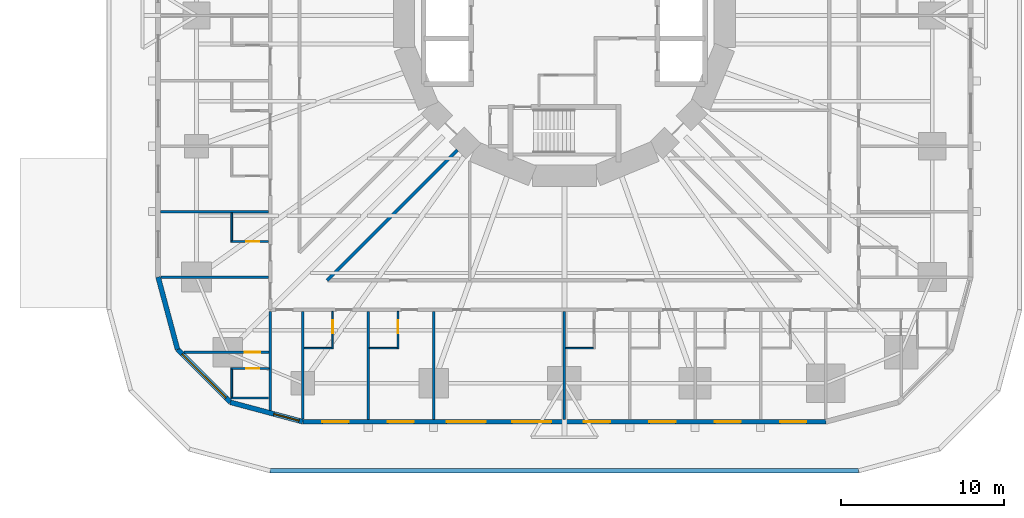
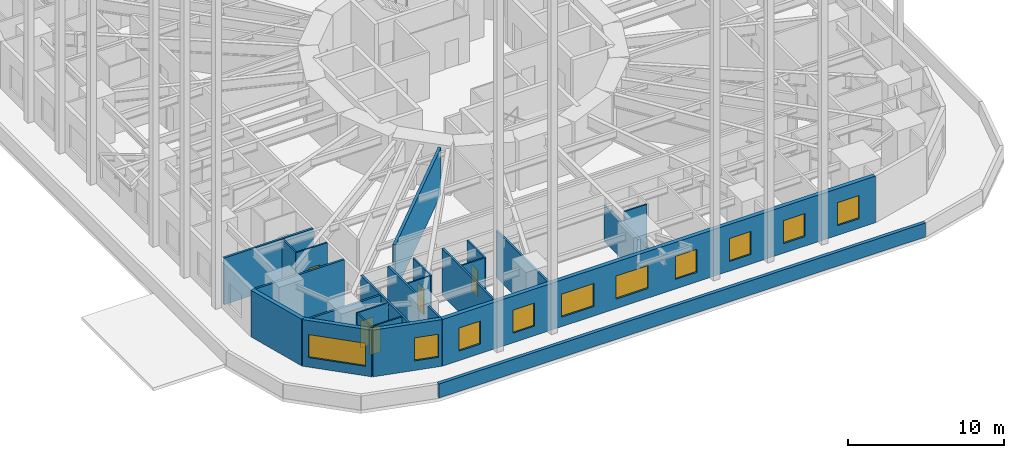
# One storey, part 4 of 13: 24 walls, 10 windows, 5 doors, 15 openings.
"""IFC4 building model written with IfcOpenShell, lengths in metres."""

from ifc_helpers import new_model, si_unit, direction, frame, frame_2d, origin, place, context, subcontext, project, spatial, rectangle, extrude, material, layer, layer_set, type_object, element, fill, save


model = new_model("IFC4")

# Units and contexts
model_context = context("Model", 3, precision=1e-05, world=origin(), true_north=direction((0.0, 1.0)))
body_context = subcontext(model_context, "Body", "Model", "MODEL_VIEW")
ifc_project = project(units=[si_unit("LENGTHUNIT", "METRE"), si_unit("AREAUNIT", "SQUARE_METRE"), si_unit("VOLUMEUNIT", "CUBIC_METRE"), si_unit("PLANEANGLEUNIT", "RADIAN"), si_unit("MASSUNIT", "GRAM", prefix="KILO")], contexts=[model_context])

# Site, building, storey
site_placement = place(None, origin())
site = spatial("IfcSite", under=ifc_project, at=site_placement, CompositionType="ELEMENT")
building_placement = place(site_placement, origin())
building = spatial("IfcBuilding", under=site, at=building_placement, Name="Nakasero Lantern House", CompositionType="ELEMENT")
storey_placement = place(building_placement, frame((0.0, 0.0, 16.0)))
storey = spatial("IfcBuildingStorey", under=building, at=storey_placement, Name="L03", CompositionType="ELEMENT", Elevation=16.0)

# Wall
ifc_material_1 = material(Name="Blockwork", Category="masonry")
ifc_layer_1 = layer(ifc_material_1, 0.199951171875)
ifc_layer_set_1 = layer_set([ifc_layer_1], Name="Corridor wall 200")
wall_type_1 = type_object("IfcWallType", Name="Corridor wall 200", PredefinedType="PARTITIONING", material=ifc_layer_set_1)
wall_1_placement = place(storey_placement, frame((-6.54638671875, -8.243408203125, 0.0), z_axis=(0.0, 0.0, 1.0), x_axis=(-0.707106781187, -0.707106781187, 0.0)))
element("IfcWall", 1, at=wall_1_placement, inside=storey, type_object=wall_type_1, Name="Corridor wall L03 PS10a", PredefinedType="PARTITIONING", context=body_context, shape_type="SweptSolid", body=[
    extrude(rectangle(XDim=11.252197265625, YDim=0.199951171875, at=frame_2d((5.6259765625, 0.0))), origin(), (0.0, 0.0, 1.0), 3.64990234375),
])

# Wall, opening, door
ifc_material_2 = material(Name="Blockwork", Category="masonry")
ifc_layer_2 = layer(ifc_material_2, 0.10009765625)
ifc_layer_set_2 = layer_set([ifc_layer_2], Name="En-suite wall 100")
wall_type_2 = type_object("IfcWallType", Name="En-suite wall 100", PredefinedType="PARTITIONING", material=ifc_layer_set_2)
wall_2_placement = place(storey_placement, frame((-18.10009765625, -13.824951171875, 0.0), z_axis=(0.0, 0.0, 1.0), x_axis=(-1.0, 0.0, 0.0)))
wall_2 = element("IfcWall", 2, at=wall_2_placement, inside=storey, type_object=wall_type_2, Name="En-suite wall L03 ES2-08", PredefinedType="PARTITIONING", context=body_context, shape_type="SweptSolid", body=[
    extrude(rectangle(XDim=2.2998046875, YDim=0.10009765625, at=frame_2d((1.14990234375, 0.0))), origin(), (0.0, 0.0, 1.0), 3.64990234375),
])
opening_1_placement = place(wall_2_placement, frame((0.550048828125, 0.0, 0.0)))
opening_1 = element("IfcOpeningElement", 3, at=opening_1_placement, cuts=wall_2, Name="Opening D02", PredefinedType="OPENING", context=body_context, shape_type="SweptSolid", body=[
    extrude(rectangle(XDim=0.800048828125, YDim=2.10009765625, at=frame_2d((0.39990234375, 1.050048828125))), frame((0.0, 0.070068359375, 0.0), z_axis=(0.0, -1.0, 0.0), x_axis=(1.0, 0.0, 0.0)), (0.0, 0.0, 1.0), 0.14013671875),
])
ifc_material_3 = material(Name="Timber C24", Category="wood")
door_type_1 = type_object("IfcDoorType", Name="En-suite door 800", OperationType="SINGLE_SWING_RIGHT", PredefinedType="DOOR", material=ifc_material_3)
door_1_placement = place(opening_1_placement, origin())
door_1 = element("IfcDoor", 4, at=door_1_placement, inside=storey, type_object=door_type_1, Name="Door L03 DE2-08", OperationType="SINGLE_SWING_LEFT", OverallHeight=2.10009765625, OverallWidth=0.800048828125, PredefinedType="DOOR", context=body_context, shape_type="SweptSolid", body=[
    extrude(rectangle(XDim=0.800048828125, YDim=2.10009765625, at=frame_2d((0.39990234375, 1.050048828125))), frame((0.0, 0.02490234375, 0.0), z_axis=(0.0, -1.0, 0.0), x_axis=(1.0, 0.0, 0.0)), (0.0, 0.0, 1.0), 0.050048828125),
])
fill(opening_1, door_1)

# Wall
wall_3_placement = place(storey_placement, frame((-20.35009765625, -12.074951171875, 0.0), z_axis=(0.0, 0.0, 1.0), x_axis=(0.0, -1.0, 0.0)))
element("IfcWall", 5, at=wall_3_placement, inside=storey, type_object=wall_type_2, Name="En-suite wall L03 EE2-08", PredefinedType="PARTITIONING", context=body_context, shape_type="SweptSolid", body=[
    extrude(rectangle(XDim=1.699951171875, YDim=0.10009765625, at=frame_2d((0.85009765625, 0.0))), origin(), (0.0, 0.0, 1.0), 3.64990234375),
])

# Wall, opening, door
wall_4_placement = place(storey_placement, frame((-18.06494140625, -21.59619140625, 0.0), z_axis=(0.0, 0.0, 1.0), x_axis=(-1.0, 0.0, 0.0)))
wall_4 = element("IfcWall", 6, at=wall_4_placement, inside=storey, type_object=wall_type_2, Name="En-suite wall L03 ES2-09", PredefinedType="PARTITIONING", context=body_context, shape_type="SweptSolid", body=[
    extrude(rectangle(XDim=2.3349609375, YDim=0.10009765625, at=frame_2d((1.16748046875, 0.0))), origin(), (0.0, 0.0, 1.0), 3.64990234375),
])
opening_2_placement = place(wall_4_placement, frame((0.5849609375, 0.0, 0.0)))
opening_2 = element("IfcOpeningElement", 7, at=opening_2_placement, cuts=wall_4, Name="Opening D02", PredefinedType="OPENING", context=body_context, shape_type="SweptSolid", body=[
    extrude(rectangle(XDim=0.800048828125, YDim=2.10009765625, at=frame_2d((0.39990234375, 1.050048828125))), frame((0.0, 0.070068359375, 0.0), z_axis=(0.0, -1.0, 0.0), x_axis=(1.0, 0.0, 0.0)), (0.0, 0.0, 1.0), 0.14013671875),
])
door_2_placement = place(opening_2_placement, origin())
door_2 = element("IfcDoor", 8, at=door_2_placement, inside=storey, type_object=door_type_1, Name="Door L03 DE2-09", OperationType="SINGLE_SWING_LEFT", OverallHeight=2.10009765625, OverallWidth=0.800048828125, PredefinedType="DOOR", context=body_context, shape_type="SweptSolid", body=[
    extrude(rectangle(XDim=0.800048828125, YDim=2.10009765625, at=frame_2d((0.39990234375, 1.050048828125))), frame((0.0, 0.02490234375, 0.0), z_axis=(0.0, -1.0, 0.0), x_axis=(1.0, 0.0, 0.0)), (0.0, 0.0, 1.0), 0.050048828125),
])
fill(opening_2, door_2)

# Walls
wall_5_placement = place(storey_placement, frame((-20.35009765625, -21.646240234375, 0.0), z_axis=(0.0, 0.0, 1.0), x_axis=(0.0, -1.0, 0.0)))
element("IfcWall", 9, at=wall_5_placement, inside=storey, type_object=wall_type_2, Name="En-suite wall L03 EE2-09", PredefinedType="PARTITIONING", context=body_context, shape_type="SweptSolid", body=[
    extrude(rectangle(XDim=1.699951171875, YDim=0.10009765625, at=frame_2d((0.85009765625, 0.0))), origin(), (0.0, 0.0, 1.0), 3.64990234375),
])
wall_6_placement = place(storey_placement, frame((-18.10009765625, -23.396240234375, 0.0), z_axis=(0.0, 0.0, 1.0), x_axis=(-1.0, 0.0, 0.0)))
element("IfcWall", 10, at=wall_6_placement, inside=storey, type_object=wall_type_2, Name="En-suite wall L03 EV2-09", PredefinedType="PARTITIONING", context=body_context, shape_type="SweptSolid", body=[
    extrude(rectangle(XDim=2.2998046875, YDim=0.10009765625, at=frame_2d((1.14990234375, 0.0))), origin(), (0.0, 0.0, 1.0), 3.64990234375),
])

# Wall, opening, door
wall_7_placement = place(storey_placement, frame((-14.175048828125, -18.10009765625, 0.0), z_axis=(0.0, 0.0, 1.0), x_axis=(0.0, -1.0, 0.0)))
wall_7 = element("IfcWall", 11, at=wall_7_placement, inside=storey, type_object=wall_type_2, Name="En-suite wall L03 ES3-01", PredefinedType="PARTITIONING", context=body_context, shape_type="SweptSolid", body=[
    extrude(rectangle(XDim=2.2998046875, YDim=0.10009765625, at=frame_2d((1.14990234375, 0.0))), origin(), (0.0, 0.0, 1.0), 3.64990234375),
])
opening_3_placement = place(wall_7_placement, frame((0.550048828125, 0.0, 0.0)))
opening_3 = element("IfcOpeningElement", 12, at=opening_3_placement, cuts=wall_7, Name="Opening D02", PredefinedType="OPENING", context=body_context, shape_type="SweptSolid", body=[
    extrude(rectangle(XDim=0.800048828125, YDim=2.10009765625, at=frame_2d((0.39990234375, 1.050048828125))), frame((0.0, 0.070068359375, 0.0), z_axis=(0.0, -1.0, 0.0), x_axis=(1.0, 0.0, 0.0)), (0.0, 0.0, 1.0), 0.14013671875),
])
door_3_placement = place(opening_3_placement, origin())
door_3 = element("IfcDoor", 13, at=door_3_placement, inside=storey, type_object=door_type_1, Name="Door L03 DE3-01", OperationType="SINGLE_SWING_LEFT", OverallHeight=2.10009765625, OverallWidth=0.800048828125, PredefinedType="DOOR", context=body_context, shape_type="SweptSolid", body=[
    extrude(rectangle(XDim=0.800048828125, YDim=2.10009765625, at=frame_2d((0.39990234375, 1.050048828125))), frame((0.0, 0.02490234375, 0.0), z_axis=(0.0, -1.0, 0.0), x_axis=(1.0, 0.0, 0.0)), (0.0, 0.0, 1.0), 0.050048828125),
])
fill(opening_3, door_3)

# Wall
wall_8_placement = place(storey_placement, frame((-15.925048828125, -20.35009765625, 0.0), z_axis=(0.0, 0.0, 1.0), x_axis=(1.0, 0.0, 0.0)))
element("IfcWall", 14, at=wall_8_placement, inside=storey, type_object=wall_type_2, Name="En-suite wall L03 EE3-01", PredefinedType="PARTITIONING", context=body_context, shape_type="SweptSolid", body=[
    extrude(rectangle(XDim=1.699951171875, YDim=0.10009765625, at=frame_2d((0.85009765625, 0.0))), origin(), (0.0, 0.0, 1.0), 3.64990234375),
])

# Wall, opening, door
wall_9_placement = place(storey_placement, frame((-10.175048828125, -18.10009765625, 0.0), z_axis=(0.0, 0.0, 1.0), x_axis=(0.0, -1.0, 0.0)))
wall_9 = element("IfcWall", 15, at=wall_9_placement, inside=storey, type_object=wall_type_2, Name="En-suite wall L03 ES3-02", PredefinedType="PARTITIONING", context=body_context, shape_type="SweptSolid", body=[
    extrude(rectangle(XDim=2.2998046875, YDim=0.10009765625, at=frame_2d((1.14990234375, 0.0))), origin(), (0.0, 0.0, 1.0), 3.64990234375),
])
opening_4_placement = place(wall_9_placement, frame((0.550048828125, 0.0, 0.0)))
opening_4 = element("IfcOpeningElement", 16, at=opening_4_placement, cuts=wall_9, Name="Opening D02", PredefinedType="OPENING", context=body_context, shape_type="SweptSolid", body=[
    extrude(rectangle(XDim=0.800048828125, YDim=2.10009765625, at=frame_2d((0.39990234375, 1.050048828125))), frame((0.0, 0.070068359375, 0.0), z_axis=(0.0, -1.0, 0.0), x_axis=(1.0, 0.0, 0.0)), (0.0, 0.0, 1.0), 0.14013671875),
])
door_4_placement = place(opening_4_placement, origin())
door_4 = element("IfcDoor", 17, at=door_4_placement, inside=storey, type_object=door_type_1, Name="Door L03 DE3-02", OperationType="SINGLE_SWING_LEFT", OverallHeight=2.10009765625, OverallWidth=0.800048828125, PredefinedType="DOOR", context=body_context, shape_type="SweptSolid", body=[
    extrude(rectangle(XDim=0.800048828125, YDim=2.10009765625, at=frame_2d((0.39990234375, 1.050048828125))), frame((0.0, 0.02490234375, 0.0), z_axis=(0.0, -1.0, 0.0), x_axis=(1.0, 0.0, 0.0)), (0.0, 0.0, 1.0), 0.050048828125),
])
fill(opening_4, door_4)

# Walls
for number, where, z_axis, x_axis, name in (
    (18, (-11.925048828125, -20.35009765625, 0.0), (0.0, 0.0, 1.0), (1.0, 0.0, 0.0), "En-suite wall L03 EE3-02"),
    (19, (0.074951171875, -20.35009765625, 0.0), (0.0, 0.0, 1.0), (1.0, 0.0, 0.0), "En-suite wall L03 EE3-05"),
):
    element("IfcWall", number, at=place(storey_placement, frame(where, z_axis=z_axis, x_axis=x_axis)), inside=storey, type_object=wall_type_2, Name=name, PredefinedType="PARTITIONING", context=body_context, shape_type="SweptSolid", body=[
        extrude(rectangle(XDim=1.699951171875, YDim=0.10009765625, at=frame_2d((0.85009765625, 0.0))), origin(), (0.0, 0.0, 1.0), 3.64990234375),
    ])
ifc_material_4 = material(Name="Aluminium rainscreen on blockwork", Category="masonry")
ifc_layer_3 = layer(ifc_material_4, 0.300048828125)
ifc_layer_set_3 = layer_set([ifc_layer_3], Name="Facade wall 300")
wall_type_3 = type_object("IfcWallType", Name="Facade wall 300", PredefinedType="SOLIDWALL", material=ifc_layer_set_3)
wall_10_placement = place(storey_placement, frame((-24.85009765625, -16.0, 0.0), z_axis=(0.0, 0.0, 1.0), x_axis=(0.258839972501, -0.965920218567, 0.0)))
element("IfcWall", 20, at=wall_10_placement, inside=storey, type_object=wall_type_3, Name="Facade wall L03 FW2C1", PredefinedType="SOLIDWALL", context=body_context, shape_type="SweptSolid", body=[
    extrude(rectangle(XDim=4.5810546875, YDim=0.300048828125, at=frame_2d((2.29052734375, 0.0))), origin(), (0.0, 0.0, 1.0), 3.64990234375),
])

# Wall, opening, window
wall_11_placement = place(storey_placement, frame((-23.664306640625, -20.425048828125, 0.0), z_axis=(0.0, 0.0, 1.0), x_axis=(0.707106781187, -0.707106781187, 0.0)))
wall_11 = element("IfcWall", 21, at=wall_11_placement, inside=storey, type_object=wall_type_3, Name="Facade wall L03 FW2C2", PredefinedType="SOLIDWALL", context=body_context, shape_type="SweptSolid", body=[
    extrude(rectangle(XDim=4.5810546875, YDim=0.300048828125, at=frame_2d((2.29052734375, 0.0))), origin(), (0.0, 0.0, 1.0), 3.64990234375),
])
opening_5_placement = place(wall_11_placement, frame((0.39990234375, 0.0, 0.75)))
opening_5 = element("IfcOpeningElement", 22, at=opening_5_placement, cuts=wall_11, Name="Opening W237", PredefinedType="OPENING", context=body_context, shape_type="SweptSolid", body=[
    extrude(rectangle(XDim=3.781005859375, YDim=1.800048828125, at=frame_2d((1.890625, 0.89990234375))), frame((0.0, 0.169921875, 0.0), z_axis=(0.0, -1.0, 0.0), x_axis=(1.0, 0.0, 0.0)), (0.0, 0.0, 1.0), 0.340087890625),
])
ifc_material_5 = material(Name="Aluminium 6063-T6 and glass", Category="aluminium")
window_type_1 = type_object("IfcWindowType", Name="Corner window 3781x1800", PartitioningType="SINGLE_PANEL", PredefinedType="WINDOW", material=ifc_material_5)
window_1_placement = place(opening_5_placement, origin())
window_1 = element("IfcWindow", 23, at=window_1_placement, inside=storey, type_object=window_type_1, Name="Window L03 WC2", OverallHeight=1.800048828125, OverallWidth=3.781005859375, PartitioningType="SINGLE_PANEL", PredefinedType="WINDOW", context=body_context, shape_type="SweptSolid", body=[
    extrude(rectangle(XDim=3.781005859375, YDim=1.800048828125, at=frame_2d((1.890625, 0.89990234375))), frame((0.0, 0.030029296875, 0.0), z_axis=(0.0, -1.0, 0.0), x_axis=(1.0, 0.0, 0.0)), (0.0, 0.0, 1.0), 0.06005859375),
])
fill(opening_5, window_1)

wall_12_placement = place(storey_placement, frame((-20.425048828125, -23.664306640625, 0.0), z_axis=(0.0, 0.0, 1.0), x_axis=(0.965920218567, -0.258839972501, 0.0)))
wall_12 = element("IfcWall", 24, at=wall_12_placement, inside=storey, type_object=wall_type_3, Name="Facade wall L03 FW2C3", PredefinedType="SOLIDWALL", context=body_context, shape_type="SweptSolid", body=[
    extrude(rectangle(XDim=4.5810546875, YDim=0.300048828125, at=frame_2d((2.29052734375, 0.0))), origin(), (0.0, 0.0, 1.0), 3.64990234375),
])
opening_6_placement = place(wall_12_placement, frame((2.74609375, 0.0, 0.75)))
opening_6 = element("IfcOpeningElement", 25, at=opening_6_placement, cuts=wall_12, Name="Opening W01", PredefinedType="OPENING", context=body_context, shape_type="SweptSolid", body=[
    extrude(rectangle(XDim=1.60009765625, YDim=1.800048828125, at=frame_2d((0.800048828125, 0.89990234375))), frame((0.0, 0.169921875, 0.0), z_axis=(0.0, -1.0, 0.0), x_axis=(1.0, 0.0, 0.0)), (0.0, 0.0, 1.0), 0.340087890625),
])
ifc_material_6 = material(Name="Aluminium 6063-T6 and glass", Category="aluminium")
window_type_2 = type_object("IfcWindowType", Name="Bedroom window 1600x1800", PartitioningType="SINGLE_PANEL", PredefinedType="WINDOW", material=ifc_material_6)
window_2_placement = place(opening_6_placement, origin())
window_2 = element("IfcWindow", 26, at=window_2_placement, inside=storey, type_object=window_type_2, Name="Window L03 WN3-00", OverallHeight=1.800048828125, OverallWidth=1.60009765625, PartitioningType="SINGLE_PANEL", PredefinedType="WINDOW", context=body_context, shape_type="SweptSolid", body=[
    extrude(rectangle(XDim=1.60009765625, YDim=1.800048828125, at=frame_2d((0.800048828125, 0.89990234375))), frame((0.0, 0.030029296875, 0.0), z_axis=(0.0, -1.0, 0.0), x_axis=(1.0, 0.0, 0.0)), (0.0, 0.0, 1.0), 0.06005859375),
])
fill(opening_6, window_2)

# Wall, openings, windows
wall_13_placement = place(storey_placement, frame((-16.0, -24.85009765625, 0.0), z_axis=(0.0, 0.0, 1.0), x_axis=(1.0, 0.0, 0.0)))
wall_13 = element("IfcWall", 27, at=wall_13_placement, inside=storey, type_object=wall_type_3, Name="Facade wall L03 FW3S", PredefinedType="SOLIDWALL", context=body_context, shape_type="SweptSolid", body=[
    extrude(rectangle(XDim=32.0, YDim=0.300048828125, at=frame_2d((16.0, 0.0))), origin(), (0.0, 0.0, 1.0), 3.64990234375),
])
opening_7_placement = place(wall_13_placement, frame((1.199951171875, 0.0, 0.75)))
opening_7 = element("IfcOpeningElement", 28, at=opening_7_placement, cuts=wall_13, Name="Opening W01", PredefinedType="OPENING", context=body_context, shape_type="SweptSolid", body=[
    extrude(rectangle(XDim=1.60009765625, YDim=1.800048828125, at=frame_2d((0.800048828125, 0.89990234375))), frame((0.0, 0.169921875, 0.0), z_axis=(0.0, -1.0, 0.0), x_axis=(1.0, 0.0, 0.0)), (0.0, 0.0, 1.0), 0.340087890625),
])
opening_8_placement = place(wall_13_placement, frame((5.199951171875, 0.0, 0.75)))
opening_8 = element("IfcOpeningElement", 29, at=opening_8_placement, cuts=wall_13, Name="Opening W01", PredefinedType="OPENING", context=body_context, shape_type="SweptSolid", body=[
    extrude(rectangle(XDim=1.60009765625, YDim=1.800048828125, at=frame_2d((0.800048828125, 0.89990234375))), frame((0.0, 0.169921875, 0.0), z_axis=(0.0, -1.0, 0.0), x_axis=(1.0, 0.0, 0.0)), (0.0, 0.0, 1.0), 0.340087890625),
])
opening_9_placement = place(wall_13_placement, frame((17.199951171875, 0.0, 0.75)))
opening_9 = element("IfcOpeningElement", 30, at=opening_9_placement, cuts=wall_13, Name="Opening W01", PredefinedType="OPENING", context=body_context, shape_type="SweptSolid", body=[
    extrude(rectangle(XDim=1.60009765625, YDim=1.800048828125, at=frame_2d((0.800048828125, 0.89990234375))), frame((0.0, 0.169921875, 0.0), z_axis=(0.0, -1.0, 0.0), x_axis=(1.0, 0.0, 0.0)), (0.0, 0.0, 1.0), 0.340087890625),
])
opening_10_placement = place(wall_13_placement, frame((21.199951171875, 0.0, 0.75)))
opening_10 = element("IfcOpeningElement", 31, at=opening_10_placement, cuts=wall_13, Name="Opening W01", PredefinedType="OPENING", context=body_context, shape_type="SweptSolid", body=[
    extrude(rectangle(XDim=1.60009765625, YDim=1.800048828125, at=frame_2d((0.800048828125, 0.89990234375))), frame((0.0, 0.169921875, 0.0), z_axis=(0.0, -1.0, 0.0), x_axis=(1.0, 0.0, 0.0)), (0.0, 0.0, 1.0), 0.340087890625),
])
opening_11_placement = place(wall_13_placement, frame((25.199951171875, 0.0, 0.75)))
opening_11 = element("IfcOpeningElement", 32, at=opening_11_placement, cuts=wall_13, Name="Opening W01", PredefinedType="OPENING", context=body_context, shape_type="SweptSolid", body=[
    extrude(rectangle(XDim=1.60009765625, YDim=1.800048828125, at=frame_2d((0.800048828125, 0.89990234375))), frame((0.0, 0.169921875, 0.0), z_axis=(0.0, -1.0, 0.0), x_axis=(1.0, 0.0, 0.0)), (0.0, 0.0, 1.0), 0.340087890625),
])
opening_12_placement = place(wall_13_placement, frame((29.199951171875, 0.0, 0.75)))
opening_12 = element("IfcOpeningElement", 33, at=opening_12_placement, cuts=wall_13, Name="Opening W01", PredefinedType="OPENING", context=body_context, shape_type="SweptSolid", body=[
    extrude(rectangle(XDim=1.60009765625, YDim=1.800048828125, at=frame_2d((0.800048828125, 0.89990234375))), frame((0.0, 0.169921875, 0.0), z_axis=(0.0, -1.0, 0.0), x_axis=(1.0, 0.0, 0.0)), (0.0, 0.0, 1.0), 0.340087890625),
])
opening_13_placement = place(wall_13_placement, frame((8.800048828125, 0.0, 0.75)))
opening_13 = element("IfcOpeningElement", 34, at=opening_13_placement, cuts=wall_13, Name="Opening W03", PredefinedType="OPENING", context=body_context, shape_type="SweptSolid", body=[
    extrude(rectangle(XDim=2.39990234375, YDim=1.800048828125, at=frame_2d((1.199951171875, 0.89990234375))), frame((0.0, 0.169921875, 0.0), z_axis=(0.0, -1.0, 0.0), x_axis=(1.0, 0.0, 0.0)), (0.0, 0.0, 1.0), 0.340087890625),
])
opening_14_placement = place(wall_13_placement, frame((12.800048828125, 0.0, 0.75)))
opening_14 = element("IfcOpeningElement", 35, at=opening_14_placement, cuts=wall_13, Name="Opening W03", PredefinedType="OPENING", context=body_context, shape_type="SweptSolid", body=[
    extrude(rectangle(XDim=2.39990234375, YDim=1.800048828125, at=frame_2d((1.199951171875, 0.89990234375))), frame((0.0, 0.169921875, 0.0), z_axis=(0.0, -1.0, 0.0), x_axis=(1.0, 0.0, 0.0)), (0.0, 0.0, 1.0), 0.340087890625),
])
window_3_placement = place(opening_7_placement, origin())
window_3 = element("IfcWindow", 36, at=window_3_placement, inside=storey, type_object=window_type_2, Name="Window L03 WN3-01", OverallHeight=1.800048828125, OverallWidth=1.60009765625, PartitioningType="SINGLE_PANEL", PredefinedType="WINDOW", context=body_context, shape_type="SweptSolid", body=[
    extrude(rectangle(XDim=1.60009765625, YDim=1.800048828125, at=frame_2d((0.800048828125, 0.89990234375))), frame((0.0, 0.030029296875, 0.0), z_axis=(0.0, -1.0, 0.0), x_axis=(1.0, 0.0, 0.0)), (0.0, 0.0, 1.0), 0.06005859375),
])
fill(opening_7, window_3)
window_4_placement = place(opening_8_placement, origin())
window_4 = element("IfcWindow", 37, at=window_4_placement, inside=storey, type_object=window_type_2, Name="Window L03 WN3-02", OverallHeight=1.800048828125, OverallWidth=1.60009765625, PartitioningType="SINGLE_PANEL", PredefinedType="WINDOW", context=body_context, shape_type="SweptSolid", body=[
    extrude(rectangle(XDim=1.60009765625, YDim=1.800048828125, at=frame_2d((0.800048828125, 0.89990234375))), frame((0.0, 0.030029296875, 0.0), z_axis=(0.0, -1.0, 0.0), x_axis=(1.0, 0.0, 0.0)), (0.0, 0.0, 1.0), 0.06005859375),
])
fill(opening_8, window_4)
window_5_placement = place(opening_9_placement, origin())
window_5 = element("IfcWindow", 38, at=window_5_placement, inside=storey, type_object=window_type_2, Name="Window L03 WN3-05", OverallHeight=1.800048828125, OverallWidth=1.60009765625, PartitioningType="SINGLE_PANEL", PredefinedType="WINDOW", context=body_context, shape_type="SweptSolid", body=[
    extrude(rectangle(XDim=1.60009765625, YDim=1.800048828125, at=frame_2d((0.800048828125, 0.89990234375))), frame((0.0, 0.030029296875, 0.0), z_axis=(0.0, -1.0, 0.0), x_axis=(1.0, 0.0, 0.0)), (0.0, 0.0, 1.0), 0.06005859375),
])
fill(opening_9, window_5)
window_6_placement = place(opening_10_placement, origin())
window_6 = element("IfcWindow", 39, at=window_6_placement, inside=storey, type_object=window_type_2, Name="Window L03 WN3-06", OverallHeight=1.800048828125, OverallWidth=1.60009765625, PartitioningType="SINGLE_PANEL", PredefinedType="WINDOW", context=body_context, shape_type="SweptSolid", body=[
    extrude(rectangle(XDim=1.60009765625, YDim=1.800048828125, at=frame_2d((0.800048828125, 0.89990234375))), frame((0.0, 0.030029296875, 0.0), z_axis=(0.0, -1.0, 0.0), x_axis=(1.0, 0.0, 0.0)), (0.0, 0.0, 1.0), 0.06005859375),
])
fill(opening_10, window_6)
window_7_placement = place(opening_11_placement, origin())
window_7 = element("IfcWindow", 40, at=window_7_placement, inside=storey, type_object=window_type_2, Name="Window L03 WN3-07", OverallHeight=1.800048828125, OverallWidth=1.60009765625, PartitioningType="SINGLE_PANEL", PredefinedType="WINDOW", context=body_context, shape_type="SweptSolid", body=[
    extrude(rectangle(XDim=1.60009765625, YDim=1.800048828125, at=frame_2d((0.800048828125, 0.89990234375))), frame((0.0, 0.030029296875, 0.0), z_axis=(0.0, -1.0, 0.0), x_axis=(1.0, 0.0, 0.0)), (0.0, 0.0, 1.0), 0.06005859375),
])
fill(opening_11, window_7)
window_8_placement = place(opening_12_placement, origin())
window_8 = element("IfcWindow", 41, at=window_8_placement, inside=storey, type_object=window_type_2, Name="Window L03 WN3-08", OverallHeight=1.800048828125, OverallWidth=1.60009765625, PartitioningType="SINGLE_PANEL", PredefinedType="WINDOW", context=body_context, shape_type="SweptSolid", body=[
    extrude(rectangle(XDim=1.60009765625, YDim=1.800048828125, at=frame_2d((0.800048828125, 0.89990234375))), frame((0.0, 0.030029296875, 0.0), z_axis=(0.0, -1.0, 0.0), x_axis=(1.0, 0.0, 0.0)), (0.0, 0.0, 1.0), 0.06005859375),
])
fill(opening_12, window_8)
ifc_material_7 = material(Name="Aluminium 6063-T6 and glass", Category="aluminium")
window_type_3 = type_object("IfcWindowType", Name="Lounge window 2400x1800", PartitioningType="SINGLE_PANEL", PredefinedType="WINDOW", material=ifc_material_7)
window_9_placement = place(opening_13_placement, origin())
window_9 = element("IfcWindow", 42, at=window_9_placement, inside=storey, type_object=window_type_3, Name="Window L03 WK3", OverallHeight=1.800048828125, OverallWidth=2.39990234375, PartitioningType="SINGLE_PANEL", PredefinedType="WINDOW", context=body_context, shape_type="SweptSolid", body=[
    extrude(rectangle(XDim=2.39990234375, YDim=1.800048828125, at=frame_2d((1.199951171875, 0.89990234375))), frame((0.0, 0.030029296875, 0.0), z_axis=(0.0, -1.0, 0.0), x_axis=(1.0, 0.0, 0.0)), (0.0, 0.0, 1.0), 0.06005859375),
])
fill(opening_13, window_9)
window_10_placement = place(opening_14_placement, origin())
window_10 = element("IfcWindow", 43, at=window_10_placement, inside=storey, type_object=window_type_3, Name="Window L03 WL3", OverallHeight=1.800048828125, OverallWidth=2.39990234375, PartitioningType="SINGLE_PANEL", PredefinedType="WINDOW", context=body_context, shape_type="SweptSolid", body=[
    extrude(rectangle(XDim=2.39990234375, YDim=1.800048828125, at=frame_2d((1.199951171875, 0.89990234375))), frame((0.0, 0.030029296875, 0.0), z_axis=(0.0, -1.0, 0.0), x_axis=(1.0, 0.0, 0.0)), (0.0, 0.0, 1.0), 0.06005859375),
])
fill(opening_14, window_10)

# Walls
ifc_material_8 = material(Name="Concrete C35/45", Category="concrete")
ifc_layer_4 = layer(ifc_material_8, 0.25)
ifc_layer_set_4 = layer_set([ifc_layer_4], Name="Parapet 250")
wall_type_4 = type_object("IfcWallType", Name="Parapet 250", PredefinedType="SOLIDWALL", material=ifc_layer_set_4)
wall_14_placement = place(storey_placement, frame((-18.0, -27.85009765625, 0.0), z_axis=(0.0, 0.0, 1.0), x_axis=(1.0, 0.0, 0.0)))
element("IfcWall", 44, at=wall_14_placement, inside=storey, type_object=wall_type_4, Name="Parapet L03 PP3S", PredefinedType="SOLIDWALL", context=body_context, shape_type="SweptSolid", body=[
    extrude(rectangle(XDim=36.0, YDim=0.25, at=frame_2d((18.0, 0.0))), origin(), (0.0, 0.0, 1.0), 1.10009765625),
])
ifc_material_9 = material(Name="Blockwork", Category="masonry")
ifc_layer_5 = layer(ifc_material_9, 0.14990234375)
ifc_layer_set_5 = layer_set([ifc_layer_5], Name="Party wall 150")
wall_type_5 = type_object("IfcWallType", Name="Party wall 150", PredefinedType="PARTITIONING", material=ifc_layer_set_5)
wall_15_placement = place(storey_placement, frame((-18.10009765625, -12.0, 0.0), z_axis=(0.0, 0.0, 1.0), x_axis=(-1.0, 0.0, 0.0)))
element("IfcWall", 45, at=wall_15_placement, inside=storey, type_object=wall_type_5, Name="Party wall L03 PW2-08", PredefinedType="PARTITIONING", context=body_context, shape_type="SweptSolid", body=[
    extrude(rectangle(XDim=6.599853515625, YDim=0.14990234375, at=frame_2d((3.2998046875, 0.0))), origin(), (0.0, 0.0, 1.0), 3.64990234375),
])
wall_16_placement = place(storey_placement, frame((-18.10009765625, -16.0, 0.0), z_axis=(0.0, 0.0, 1.0), x_axis=(-1.0, 0.0, 0.0)))
element("IfcWall", 46, at=wall_16_placement, inside=storey, type_object=wall_type_5, Name="Party wall L03 PW2-09", PredefinedType="PARTITIONING", context=body_context, shape_type="SweptSolid", body=[
    extrude(rectangle(XDim=6.58935546875, YDim=0.14990234375, at=frame_2d((3.294677734375, 0.0))), origin(), (0.0, 0.0, 1.0), 3.64990234375),
])

# Wall, opening, door
wall_17_placement = place(storey_placement, frame((-18.06494140625, -20.59619140625, 0.0), z_axis=(0.0, 0.0, 1.0), x_axis=(-1.0, 0.0, 0.0)))
wall_17 = element("IfcWall", 47, at=wall_17_placement, inside=storey, type_object=wall_type_5, Name="Party wall L03 PC2", PredefinedType="PARTITIONING", context=body_context, shape_type="SweptSolid", body=[
    extrude(rectangle(XDim=5.208740234375, YDim=0.14990234375, at=frame_2d((2.6044921875, 0.0))), origin(), (0.0, 0.0, 1.0), 3.64990234375),
])
opening_15_placement = place(wall_17_placement, frame((0.534912109375, 0.0, 0.0)))
opening_15 = element("IfcOpeningElement", 48, at=opening_15_placement, cuts=wall_17, Name="Opening D01", PredefinedType="OPENING", context=body_context, shape_type="SweptSolid", body=[
    extrude(rectangle(XDim=0.949951171875, YDim=2.10009765625, at=frame_2d((0.47509765625, 1.050048828125))), frame((0.0, 0.094970703125, 0.0), z_axis=(0.0, -1.0, 0.0), x_axis=(1.0, 0.0, 0.0)), (0.0, 0.0, 1.0), 0.18994140625),
])
ifc_material_10 = material(Name="Timber C24", Category="wood")
door_type_2 = type_object("IfcDoorType", Name="Bedroom door FD30S 950", OperationType="SINGLE_SWING_LEFT", PredefinedType="DOOR", material=ifc_material_10)
door_5_placement = place(opening_15_placement, origin())
door_5 = element("IfcDoor", 49, at=door_5_placement, inside=storey, type_object=door_type_2, Name="Door L03 DC2", OperationType="SINGLE_SWING_LEFT", OverallHeight=2.10009765625, OverallWidth=0.949951171875, PredefinedType="DOOR", context=body_context, shape_type="SweptSolid", body=[
    extrude(rectangle(XDim=0.949951171875, YDim=2.10009765625, at=frame_2d((0.47509765625, 1.050048828125))), frame((0.0, 0.02490234375, 0.0), z_axis=(0.0, -1.0, 0.0), x_axis=(1.0, 0.0, 0.0)), (0.0, 0.0, 1.0), 0.050048828125),
])
fill(opening_15, door_5)

# Walls
wall_18_placement = place(storey_placement, frame((-18.0, -18.10009765625, 0.0), z_axis=(0.0, 0.0, 1.0), x_axis=(0.0, -1.0, 0.0)))
element("IfcWall", 50, at=wall_18_placement, inside=storey, type_object=wall_type_5, Name="Party wall L03 PW3-00", PredefinedType="PARTITIONING", context=body_context, shape_type="SweptSolid", body=[
    extrude(rectangle(XDim=6.053466796875, YDim=0.14990234375, at=frame_2d((3.02685546875, 0.0))), origin(), (0.0, 0.0, 1.0), 3.64990234375),
])
wall_19_placement = place(storey_placement, frame((-16.0, -18.10009765625, 0.0), z_axis=(0.0, 0.0, 1.0), x_axis=(0.0, -1.0, 0.0)))
element("IfcWall", 51, at=wall_19_placement, inside=storey, type_object=wall_type_5, Name="Party wall L03 PW3-01", PredefinedType="PARTITIONING", context=body_context, shape_type="SweptSolid", body=[
    extrude(rectangle(XDim=6.58935546875, YDim=0.14990234375, at=frame_2d((3.294677734375, 0.0))), origin(), (0.0, 0.0, 1.0), 3.64990234375),
])
for number, where, z_axis, x_axis, name in (
    (52, (-12.0, -18.10009765625, 0.0), (0.0, 0.0, 1.0), (0.0, -1.0, 0.0), "Party wall L03 PW3-02"),
    (53, (-8.0, -18.10009765625, 0.0), (0.0, 0.0, 1.0), (0.0, -1.0, 0.0), "Party wall L03 PW3-03"),
):
    element("IfcWall", number, at=place(storey_placement, frame(where, z_axis=z_axis, x_axis=x_axis)), inside=storey, type_object=wall_type_5, Name=name, PredefinedType="PARTITIONING", context=body_context, shape_type="SweptSolid", body=[
        extrude(rectangle(XDim=6.599853515625, YDim=0.14990234375, at=frame_2d((3.2998046875, 0.0))), origin(), (0.0, 0.0, 1.0), 3.64990234375),
    ])
wall_20_placement = place(storey_placement, frame((0.0, -18.10009765625, 0.0), z_axis=(0.0, 0.0, 1.0), x_axis=(0.0, -1.0, 0.0)))
element("IfcWall", 54, at=wall_20_placement, inside=storey, type_object=wall_type_5, Name="Party wall L03 PW3-05", PredefinedType="PARTITIONING", context=body_context, shape_type="SweptSolid", body=[
    extrude(rectangle(XDim=6.599853515625, YDim=0.14990234375, at=frame_2d((3.2998046875, 0.0))), origin(), (0.0, 0.0, 1.0), 2.809326171875),
])

save(model, "model.ifc")
